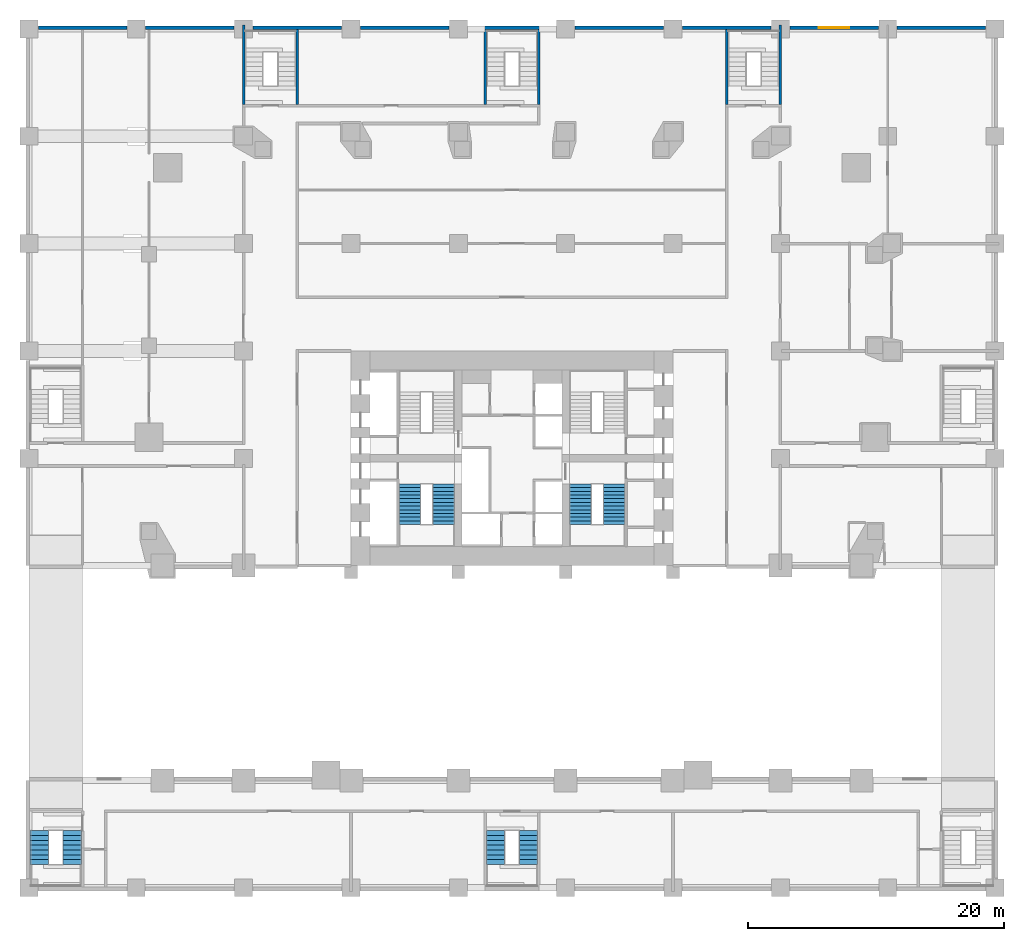
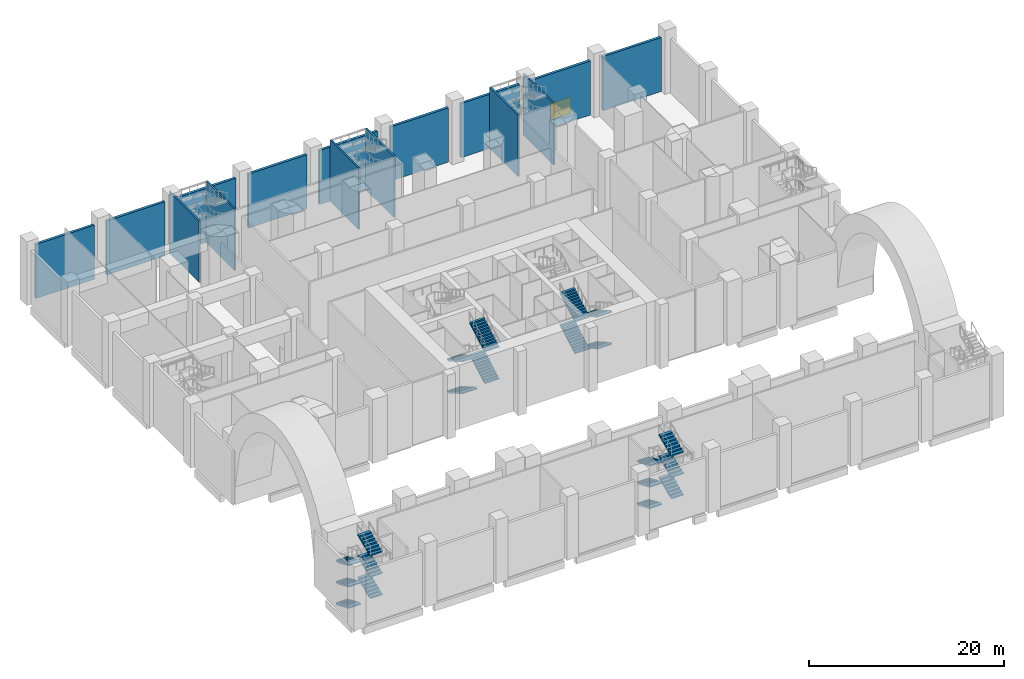
# One storey, part 10 of 19: 20 stair flights, 15 walls, 1 window, 1 opening, 4 elements without a shape of their own.
"""IFC4 building model written with IfcOpenShell, lengths in metres."""

from ifc_helpers import new_model, si_unit, direction, frame, frame_2d, origin, place, context, subcontext, project, spatial, polyline, rectangle, outline, extrude, material, layer, layer_set, type_object, element, fill, aggregate, save


model = new_model("IFC4")

# Units and contexts
model_context = context("Model", 3, precision=1e-05, world=origin(), true_north=direction((0.0, 1.0)))
body_context = subcontext(model_context, "Body", "Model", "MODEL_VIEW")
ifc_project = project(units=[si_unit("LENGTHUNIT", "METRE"), si_unit("AREAUNIT", "SQUARE_METRE"), si_unit("VOLUMEUNIT", "CUBIC_METRE"), si_unit("PLANEANGLEUNIT", "RADIAN"), si_unit("MASSUNIT", "GRAM", prefix="KILO")], contexts=[model_context])

# Site, building, storey
site_placement = place(None, origin())
site = spatial("IfcSite", under=ifc_project, at=site_placement, CompositionType="ELEMENT")
building_placement = place(site_placement, origin())
building = spatial("IfcBuilding", under=site, at=building_placement, Name="Marenta Gate Hotel Tower", CompositionType="ELEMENT")
storey_placement = place(building_placement, frame((0.0, 0.0, 13.0)))
storey = spatial("IfcBuildingStorey", under=building, at=storey_placement, Name="L02", CompositionType="ELEMENT", Elevation=13.0)

# Wall
ifc_material_1 = material(Name="Concrete C40 board-marked", Category="concrete")
ifc_layer_1 = layer(ifc_material_1, 0.300048828125)
ifc_layer_set_1 = layer_set([ifc_layer_1], Name="Concrete C40 board-marked")
wall_type_1 = type_object("IfcWallType", Name="Board-marked concrete wall 300 mm", PredefinedType="NOTDEFINED", material=ifc_layer_set_1)
wall_1_placement = place(storey_placement, frame((37.06005859375, 42.090087890625, 0.0), z_axis=(0.0, 0.0, 1.0), x_axis=(-1.0, 0.0, 0.0)))
element("IfcWall", 1, at=wall_1_placement, inside=storey, type_object=wall_type_1, Name="L02-CLD-NB-N000", PredefinedType="NOTDEFINED", context=body_context, shape_type="SweptSolid", body=[
    extrude(rectangle(XDim=6.920166015625, YDim=0.300048828125, at=frame_2d((3.4599609375, 0.0))), origin(), (0.0, 0.0, 1.0), 6.780029296875),
])

# Wall, opening, window
wall_2_placement = place(storey_placement, frame((28.659912109375, 42.090087890625, 0.0), z_axis=(0.0, 0.0, 1.0), x_axis=(-1.0, 0.0, 0.0)))
wall_2 = element("IfcWall", 2, at=wall_2_placement, inside=storey, type_object=wall_type_1, Name="L02-CLD-NB-N001", PredefinedType="NOTDEFINED", context=body_context, shape_type="SweptSolid", body=[
    extrude(rectangle(XDim=6.919921875, YDim=0.300048828125, at=frame_2d((3.4599609375, 0.0))), origin(), (0.0, 0.0, 1.0), 6.780029296875),
])
opening_placement = place(wall_2_placement, frame((2.260009765625, 0.0, 0.89990234375)))
opening = element("IfcOpeningElement", 3, at=opening_placement, cuts=wall_2, Name="Opening W1", PredefinedType="OPENING", context=body_context, shape_type="SweptSolid", body=[
    extrude(rectangle(XDim=2.39990234375, YDim=2.10009765625, at=frame_2d((1.199951171875, 1.050048828125))), frame((0.0, 0.14990234375, 0.0), z_axis=(0.0, -1.0, 0.0), x_axis=(1.0, 0.0, 0.0)), (0.0, 0.0, 1.0), 0.300048828125),
])
ifc_material_2 = material(Name="Tinted insulated glass in bronze anodised frame", Category="glass")
window_type = type_object("IfcWindowType", Name="Window W1 2400x2100 bronze frame", PartitioningType="SINGLE_PANEL", PredefinedType="WINDOW", material=ifc_material_2)
window_placement = place(opening_placement, origin())
window = element("IfcWindow", 4, at=window_placement, inside=storey, type_object=window_type, Name="Window W1", OverallHeight=2.10009765625, OverallWidth=2.39990234375, PartitioningType="SINGLE_PANEL", PredefinedType="WINDOW", context=body_context, shape_type="SweptSolid", body=[
    extrude(rectangle(XDim=2.39990234375, YDim=2.10009765625, at=frame_2d((1.199951171875, 1.050048828125))), frame((0.0, 0.030029296875, 0.0), z_axis=(0.0, -1.0, 0.0), x_axis=(1.0, 0.0, 0.0)), (0.0, 0.0, 1.0), 0.06005859375),
])
fill(opening, window)

# Walls
wall_3_placement = place(storey_placement, frame((20.260009765625, 42.090087890625, 0.0), z_axis=(0.0, 0.0, 1.0), x_axis=(-1.0, 0.0, 0.0)))
element("IfcWall", 5, at=wall_3_placement, inside=storey, type_object=wall_type_1, Name="L02-CLD-NB-N002", PredefinedType="NOTDEFINED", context=body_context, shape_type="SweptSolid", body=[
    extrude(rectangle(XDim=6.919921875, YDim=0.300048828125, at=frame_2d((3.4599609375, 0.0))), origin(), (0.0, 0.0, 1.0), 6.780029296875),
])
wall_4_placement = place(storey_placement, frame((11.860107421875, 42.090087890625, 0.0), z_axis=(0.0, 0.0, 1.0), x_axis=(-1.0, 0.0, 0.0)))
element("IfcWall", 6, at=wall_4_placement, inside=storey, type_object=wall_type_1, Name="L02-CLD-NB-N003", PredefinedType="NOTDEFINED", context=body_context, shape_type="SweptSolid", body=[
    extrude(rectangle(XDim=6.920166015625, YDim=0.300048828125, at=frame_2d((3.4599609375, 0.0))), origin(), (0.0, 0.0, 1.0), 6.780029296875),
])
wall_5_placement = place(storey_placement, frame((3.4599609375, 42.090087890625, 0.0), z_axis=(0.0, 0.0, 1.0), x_axis=(-1.0, 0.0, 0.0)))
element("IfcWall", 7, at=wall_5_placement, inside=storey, type_object=wall_type_1, Name="L02-CLD-NB-N004", PredefinedType="NOTDEFINED", context=body_context, shape_type="SweptSolid", body=[
    extrude(rectangle(XDim=6.919921875, YDim=0.300048828125, at=frame_2d((3.4599609375, 0.0))), origin(), (0.0, 0.0, 1.0), 6.780029296875),
])
wall_6_placement = place(storey_placement, frame((-4.93994140625, 42.090087890625, 0.0), z_axis=(0.0, 0.0, 1.0), x_axis=(-1.0, 0.0, 0.0)))
element("IfcWall", 8, at=wall_6_placement, inside=storey, type_object=wall_type_1, Name="L02-CLD-NB-N005", PredefinedType="NOTDEFINED", context=body_context, shape_type="SweptSolid", body=[
    extrude(rectangle(XDim=6.920166015625, YDim=0.300048828125, at=frame_2d((3.4599609375, 0.0))), origin(), (0.0, 0.0, 1.0), 6.780029296875),
])
for number, where, z_axis, x_axis, name in (
    (9, (-13.340087890625, 42.090087890625, 0.0), (0.0, 0.0, 1.0), (-1.0, 0.0, 0.0), "L02-CLD-NB-N006"),
    (10, (-21.739990234375, 42.090087890625, 0.0), (0.0, 0.0, 1.0), (-1.0, 0.0, 0.0), "L02-CLD-NB-N007"),
):
    element("IfcWall", number, at=place(storey_placement, frame(where, z_axis=z_axis, x_axis=x_axis)), inside=storey, type_object=wall_type_1, Name=name, PredefinedType="NOTDEFINED", context=body_context, shape_type="SweptSolid", body=[
        extrude(rectangle(XDim=6.919921875, YDim=0.300048828125, at=frame_2d((3.4599609375, 0.0))), origin(), (0.0, 0.0, 1.0), 6.780029296875),
    ])
wall_7_placement = place(storey_placement, frame((-30.139892578125, 42.090087890625, 0.0), z_axis=(0.0, 0.0, 1.0), x_axis=(-1.0, 0.0, 0.0)))
element("IfcWall", 11, at=wall_7_placement, inside=storey, type_object=wall_type_1, Name="L02-CLD-NB-N008", PredefinedType="NOTDEFINED", context=body_context, shape_type="SweptSolid", body=[
    extrude(rectangle(XDim=6.920166015625, YDim=0.300048828125, at=frame_2d((3.4599609375, 0.0))), origin(), (0.0, 0.0, 1.0), 6.780029296875),
])
ifc_material_3 = material(Name="Concrete blockwork", Category="masonry")
ifc_layer_2 = layer(ifc_material_3, 0.199951171875)
ifc_layer_set_2 = layer_set([ifc_layer_2], Name="Concrete blockwork")
wall_type_2 = type_object("IfcWallType", Name="Room party wall 200 REI 180", PredefinedType="PARTITIONING", material=ifc_layer_set_2)
wall_8_placement = place(storey_placement, frame((21.0, 36.10009765625, 0.0), z_axis=(0.0, 0.0, 1.0), x_axis=(0.0, 1.0, 0.0)))
element("IfcWall", 12, at=wall_8_placement, inside=storey, type_object=wall_type_2, Name="L02-PTN-W020", PredefinedType="PARTITIONING", context=body_context, shape_type="SweptSolid", body=[
    extrude(rectangle(XDim=6.199951171875, YDim=0.199951171875, at=frame_2d((3.10009765625, 0.0))), origin(), (0.0, 0.0, 1.0), 7.679931640625),
])
for number, where, z_axis, x_axis, name in (
    (13, (16.800048828125, 36.10009765625, 0.0), (0.0, 0.0, 1.0), (0.0, 1.0, 0.0), "L02-PTN-W025"),
    (14, (2.10009765625, 36.10009765625, 0.0), (0.0, 0.0, 1.0), (0.0, 1.0, 0.0), "L02-PTN-W028"),
    (15, (-2.10009765625, 36.10009765625, 0.0), (0.0, 0.0, 1.0), (0.0, 1.0, 0.0), "L02-PTN-W031"),
    (16, (-16.800048828125, 36.10009765625, 0.0), (0.0, 0.0, 1.0), (0.0, 1.0, 0.0), "L02-PTN-W044"),
):
    element("IfcWall", number, at=place(storey_placement, frame(where, z_axis=z_axis, x_axis=x_axis)), inside=storey, type_object=wall_type_2, Name=name, PredefinedType="PARTITIONING", context=body_context, shape_type="SweptSolid", body=[
        extrude(rectangle(XDim=5.83984375, YDim=0.199951171875, at=frame_2d((2.919921875, 0.0))), origin(), (0.0, 0.0, 1.0), 7.679931640625),
    ])
wall_9_placement = place(storey_placement, frame((-21.0, 36.10009765625, 0.0), z_axis=(0.0, 0.0, 1.0), x_axis=(0.0, 1.0, 0.0)))
element("IfcWall", 17, at=wall_9_placement, inside=storey, type_object=wall_type_2, Name="L02-PTN-W050", PredefinedType="PARTITIONING", context=body_context, shape_type="SweptSolid", body=[
    extrude(rectangle(XDim=6.199951171875, YDim=0.199951171875, at=frame_2d((3.10009765625, 0.0))), origin(), (0.0, 0.0, 1.0), 7.679931640625),
])

# Stair, stair flights
ifc_material_4 = material(Name="Concrete C40", Category="concrete")
stair_type_1 = type_object("IfcStairType", Name="Core exit stair 1700 wide", PredefinedType="HALF_TURN_STAIR", material=ifc_material_4)
stair_1_placement = place(storey_placement, origin())
stair_1 = element("IfcStair", 18, at=stair_1_placement, inside=storey, type_object=stair_type_1, Name="Exit stair 1", PredefinedType="HALF_TURN_STAIR")
ifc_material_5 = material(Name="Concrete C40", Category="concrete")
stair_flight_type_1 = type_object("IfcStairFlightType", Name="Core stair flight 1700 riser 166.7 going 290", PredefinedType="STRAIGHT", material=ifc_material_5)
stair_flight_1_placement = place(storey_placement, frame((-8.0, 6.39990234375, 0.0), z_axis=(0.0, 0.0, 1.0), x_axis=(0.0, -1.0, 0.0)))
stair_flight_1 = element("IfcStairFlight", 19, at=stair_flight_1_placement, type_object=stair_flight_type_1, Name="ST1 flight 1", NumberOfRisers=12, NumberOfTreads=11, PredefinedType="STRAIGHT", RiserHeight=0.166667, TreadLength=0.29, context=body_context, shape_type="SweptSolid", body=[
    extrude(outline(polyline([(0.0, 0.0), (0.0, 0.166748046875), (0.2900390625, 0.166748046875), (0.2900390625, 0.333251953125), (0.580078125, 0.333251953125), (0.580078125, 0.5), (0.8701171875, 0.5), (0.8701171875, 0.666748046875), (1.159912109375, 0.666748046875), (1.159912109375, 0.833251953125), (1.449951171875, 0.833251953125), (1.449951171875, 1.0), (1.739990234375, 1.0), (1.739990234375, 1.166748046875), (2.030029296875, 1.166748046875), (2.030029296875, 1.333251953125), (2.320068359375, 1.333251953125), (2.320068359375, 1.5), (2.610107421875, 1.5), (2.610107421875, 1.666748046875), (2.89990234375, 1.666748046875), (2.89990234375, 1.833251953125), (3.18994140625, 1.833251953125), (3.18994140625, 2.0), (3.18994140625, 1.660400390625), (0.30078125, 0.0), (0.0, 0.0)])), frame((0.0, 0.85009765625, 0.0), z_axis=(0.0, -1.0, 0.0), x_axis=(1.0, 0.0, 0.0)), (0.0, 0.0, 1.0), 1.699951171875),
])
stair_flight_2_placement = place(storey_placement, frame((-5.35009765625, 3.2099609375, 2.0), z_axis=(0.0, 0.0, 1.0), x_axis=(0.0, 1.0, 0.0)))
stair_flight_2 = element("IfcStairFlight", 20, at=stair_flight_2_placement, type_object=stair_flight_type_1, Name="ST1 flight 2", NumberOfRisers=12, NumberOfTreads=11, PredefinedType="STRAIGHT", RiserHeight=0.166667, TreadLength=0.29, context=body_context, shape_type="SweptSolid", body=[
    extrude(outline(polyline([(0.0, 0.0), (0.0, 0.166748046875), (0.2900390625, 0.166748046875), (0.2900390625, 0.333251953125), (0.580078125, 0.333251953125), (0.580078125, 0.5), (0.8701171875, 0.5), (0.8701171875, 0.666748046875), (1.159912109375, 0.666748046875), (1.159912109375, 0.833251953125), (1.449951171875, 0.833251953125), (1.449951171875, 1.0), (1.739990234375, 1.0), (1.739990234375, 1.166748046875), (2.030029296875, 1.166748046875), (2.030029296875, 1.333251953125), (2.320068359375, 1.333251953125), (2.320068359375, 1.5), (2.610107421875, 1.5), (2.610107421875, 1.666748046875), (2.89990234375, 1.666748046875), (2.89990234375, 1.833251953125), (3.18994140625, 1.833251953125), (3.18994140625, 2.0), (3.18994140625, 1.660400390625), (0.30078125, 0.0), (0.0, 0.0)])), frame((0.0, 0.85009765625, 0.0), z_axis=(0.0, -1.0, 0.0), x_axis=(1.0, 0.0, 0.0)), (0.0, 0.0, 1.0), 1.699951171875),
])
stair_flight_3_placement = place(storey_placement, frame((-8.0, 6.39990234375, 4.0), z_axis=(0.0, 0.0, 1.0), x_axis=(0.0, -1.0, 0.0)))
stair_flight_3 = element("IfcStairFlight", 21, at=stair_flight_3_placement, type_object=stair_flight_type_1, Name="ST1 flight 3", NumberOfRisers=12, NumberOfTreads=11, PredefinedType="STRAIGHT", RiserHeight=0.166667, TreadLength=0.29, context=body_context, shape_type="SweptSolid", body=[
    extrude(outline(polyline([(0.0, 0.0), (0.0, 0.166748046875), (0.2900390625, 0.166748046875), (0.2900390625, 0.333251953125), (0.580078125, 0.333251953125), (0.580078125, 0.5), (0.8701171875, 0.5), (0.8701171875, 0.666748046875), (1.159912109375, 0.666748046875), (1.159912109375, 0.833251953125), (1.449951171875, 0.833251953125), (1.449951171875, 1.0), (1.739990234375, 1.0), (1.739990234375, 1.166748046875), (2.030029296875, 1.166748046875), (2.030029296875, 1.333251953125), (2.320068359375, 1.333251953125), (2.320068359375, 1.5), (2.610107421875, 1.5), (2.610107421875, 1.666748046875), (2.89990234375, 1.666748046875), (2.89990234375, 1.833251953125), (3.18994140625, 1.833251953125), (3.18994140625, 2.0), (3.18994140625, 1.660400390625), (0.30078125, 0.0), (0.0, 0.0)])), frame((0.0, 0.85009765625, 0.0), z_axis=(0.0, -1.0, 0.0), x_axis=(1.0, 0.0, 0.0)), (0.0, 0.0, 1.0), 1.699951171875),
])
stair_flight_4_placement = place(storey_placement, frame((-5.35009765625, 3.2099609375, 6.0), z_axis=(0.0, 0.0, 1.0), x_axis=(0.0, 1.0, 0.0)))
stair_flight_4 = element("IfcStairFlight", 22, at=stair_flight_4_placement, type_object=stair_flight_type_1, Name="ST1 flight 4", NumberOfRisers=12, NumberOfTreads=11, PredefinedType="STRAIGHT", RiserHeight=0.166667, TreadLength=0.29, context=body_context, shape_type="SweptSolid", body=[
    extrude(outline(polyline([(0.0, 0.0), (0.0, 0.166748046875), (0.2900390625, 0.166748046875), (0.2900390625, 0.333251953125), (0.580078125, 0.333251953125), (0.580078125, 0.5), (0.8701171875, 0.5), (0.8701171875, 0.666748046875), (1.159912109375, 0.666748046875), (1.159912109375, 0.833251953125), (1.449951171875, 0.833251953125), (1.449951171875, 1.0), (1.739990234375, 1.0), (1.739990234375, 1.166748046875), (2.030029296875, 1.166748046875), (2.030029296875, 1.333251953125), (2.320068359375, 1.333251953125), (2.320068359375, 1.5), (2.610107421875, 1.5), (2.610107421875, 1.666748046875), (2.89990234375, 1.666748046875), (2.89990234375, 1.833251953125), (3.18994140625, 1.833251953125), (3.18994140625, 2.0), (3.18994140625, 1.660400390625), (0.30078125, 0.0), (0.0, 0.0)])), frame((0.0, 0.85009765625, 0.0), z_axis=(0.0, -1.0, 0.0), x_axis=(1.0, 0.0, 0.0)), (0.0, 0.0, 1.0), 1.699951171875),
])
aggregate(stair_1, [stair_flight_1, stair_flight_2, stair_flight_3, stair_flight_4])

stair_2_placement = place(storey_placement, origin())
stair_2 = element("IfcStair", 23, at=stair_2_placement, inside=storey, type_object=stair_type_1, Name="Exit stair 3", PredefinedType="HALF_TURN_STAIR")
stair_flight_5_placement = place(storey_placement, frame((8.0, 6.39990234375, 0.0), z_axis=(0.0, 0.0, 1.0), x_axis=(0.0, -1.0, 0.0)))
stair_flight_5 = element("IfcStairFlight", 24, at=stair_flight_5_placement, type_object=stair_flight_type_1, Name="ST3 flight 1", NumberOfRisers=12, NumberOfTreads=11, PredefinedType="STRAIGHT", RiserHeight=0.166667, TreadLength=0.29, context=body_context, shape_type="SweptSolid", body=[
    extrude(outline(polyline([(0.0, 0.0), (0.0, 0.166748046875), (0.2900390625, 0.166748046875), (0.2900390625, 0.333251953125), (0.580078125, 0.333251953125), (0.580078125, 0.5), (0.8701171875, 0.5), (0.8701171875, 0.666748046875), (1.159912109375, 0.666748046875), (1.159912109375, 0.833251953125), (1.449951171875, 0.833251953125), (1.449951171875, 1.0), (1.739990234375, 1.0), (1.739990234375, 1.166748046875), (2.030029296875, 1.166748046875), (2.030029296875, 1.333251953125), (2.320068359375, 1.333251953125), (2.320068359375, 1.5), (2.610107421875, 1.5), (2.610107421875, 1.666748046875), (2.89990234375, 1.666748046875), (2.89990234375, 1.833251953125), (3.18994140625, 1.833251953125), (3.18994140625, 2.0), (3.18994140625, 1.660400390625), (0.30078125, 0.0), (0.0, 0.0)])), frame((0.0, 0.85009765625, 0.0), z_axis=(0.0, -1.0, 0.0), x_axis=(1.0, 0.0, 0.0)), (0.0, 0.0, 1.0), 1.699951171875),
])
stair_flight_6_placement = place(storey_placement, frame((5.35009765625, 3.2099609375, 2.0), z_axis=(0.0, 0.0, 1.0), x_axis=(0.0, 1.0, 0.0)))
stair_flight_6 = element("IfcStairFlight", 25, at=stair_flight_6_placement, type_object=stair_flight_type_1, Name="ST3 flight 2", NumberOfRisers=12, NumberOfTreads=11, PredefinedType="STRAIGHT", RiserHeight=0.166667, TreadLength=0.29, context=body_context, shape_type="SweptSolid", body=[
    extrude(outline(polyline([(0.0, 0.0), (0.0, 0.166748046875), (0.2900390625, 0.166748046875), (0.2900390625, 0.333251953125), (0.580078125, 0.333251953125), (0.580078125, 0.5), (0.8701171875, 0.5), (0.8701171875, 0.666748046875), (1.159912109375, 0.666748046875), (1.159912109375, 0.833251953125), (1.449951171875, 0.833251953125), (1.449951171875, 1.0), (1.739990234375, 1.0), (1.739990234375, 1.166748046875), (2.030029296875, 1.166748046875), (2.030029296875, 1.333251953125), (2.320068359375, 1.333251953125), (2.320068359375, 1.5), (2.610107421875, 1.5), (2.610107421875, 1.666748046875), (2.89990234375, 1.666748046875), (2.89990234375, 1.833251953125), (3.18994140625, 1.833251953125), (3.18994140625, 2.0), (3.18994140625, 1.660400390625), (0.30078125, 0.0), (0.0, 0.0)])), frame((0.0, 0.85009765625, 0.0), z_axis=(0.0, -1.0, 0.0), x_axis=(1.0, 0.0, 0.0)), (0.0, 0.0, 1.0), 1.699951171875),
])
stair_flight_7_placement = place(storey_placement, frame((8.0, 6.39990234375, 4.0), z_axis=(0.0, 0.0, 1.0), x_axis=(0.0, -1.0, 0.0)))
stair_flight_7 = element("IfcStairFlight", 26, at=stair_flight_7_placement, type_object=stair_flight_type_1, Name="ST3 flight 3", NumberOfRisers=12, NumberOfTreads=11, PredefinedType="STRAIGHT", RiserHeight=0.166667, TreadLength=0.29, context=body_context, shape_type="SweptSolid", body=[
    extrude(outline(polyline([(0.0, 0.0), (0.0, 0.166748046875), (0.2900390625, 0.166748046875), (0.2900390625, 0.333251953125), (0.580078125, 0.333251953125), (0.580078125, 0.5), (0.8701171875, 0.5), (0.8701171875, 0.666748046875), (1.159912109375, 0.666748046875), (1.159912109375, 0.833251953125), (1.449951171875, 0.833251953125), (1.449951171875, 1.0), (1.739990234375, 1.0), (1.739990234375, 1.166748046875), (2.030029296875, 1.166748046875), (2.030029296875, 1.333251953125), (2.320068359375, 1.333251953125), (2.320068359375, 1.5), (2.610107421875, 1.5), (2.610107421875, 1.666748046875), (2.89990234375, 1.666748046875), (2.89990234375, 1.833251953125), (3.18994140625, 1.833251953125), (3.18994140625, 2.0), (3.18994140625, 1.660400390625), (0.30078125, 0.0), (0.0, 0.0)])), frame((0.0, 0.85009765625, 0.0), z_axis=(0.0, -1.0, 0.0), x_axis=(1.0, 0.0, 0.0)), (0.0, 0.0, 1.0), 1.699951171875),
])
stair_flight_8_placement = place(storey_placement, frame((5.35009765625, 3.2099609375, 6.0), z_axis=(0.0, 0.0, 1.0), x_axis=(0.0, 1.0, 0.0)))
stair_flight_8 = element("IfcStairFlight", 27, at=stair_flight_8_placement, type_object=stair_flight_type_1, Name="ST3 flight 4", NumberOfRisers=12, NumberOfTreads=11, PredefinedType="STRAIGHT", RiserHeight=0.166667, TreadLength=0.29, context=body_context, shape_type="SweptSolid", body=[
    extrude(outline(polyline([(0.0, 0.0), (0.0, 0.166748046875), (0.2900390625, 0.166748046875), (0.2900390625, 0.333251953125), (0.580078125, 0.333251953125), (0.580078125, 0.5), (0.8701171875, 0.5), (0.8701171875, 0.666748046875), (1.159912109375, 0.666748046875), (1.159912109375, 0.833251953125), (1.449951171875, 0.833251953125), (1.449951171875, 1.0), (1.739990234375, 1.0), (1.739990234375, 1.166748046875), (2.030029296875, 1.166748046875), (2.030029296875, 1.333251953125), (2.320068359375, 1.333251953125), (2.320068359375, 1.5), (2.610107421875, 1.5), (2.610107421875, 1.666748046875), (2.89990234375, 1.666748046875), (2.89990234375, 1.833251953125), (3.18994140625, 1.833251953125), (3.18994140625, 2.0), (3.18994140625, 1.660400390625), (0.30078125, 0.0), (0.0, 0.0)])), frame((0.0, 0.85009765625, 0.0), z_axis=(0.0, -1.0, 0.0), x_axis=(1.0, 0.0, 0.0)), (0.0, 0.0, 1.0), 1.699951171875),
])
aggregate(stair_2, [stair_flight_5, stair_flight_6, stair_flight_7, stair_flight_8])

ifc_material_6 = material(Name="Concrete C40", Category="concrete")
stair_type_2 = type_object("IfcStairType", Name="Podium exit stair 1430 wide", PredefinedType="HALF_TURN_STAIR", material=ifc_material_6)
stair_3_placement = place(storey_placement, origin())
stair_3 = element("IfcStair", 28, at=stair_3_placement, inside=storey, type_object=stair_type_2, Name="Podium exit stair 1", PredefinedType="HALF_TURN_STAIR")
ifc_material_7 = material(Name="Concrete C40", Category="concrete")
stair_flight_type_2 = type_object("IfcStairFlightType", Name="Podium stair flight 1430 riser 166.7 going 380", PredefinedType="STRAIGHT", material=ifc_material_7)
stair_flight_9_placement = place(storey_placement, frame((-36.985107421875, -20.72998046875, 0.0), z_axis=(0.0, 0.0, 1.0), x_axis=(0.0, -1.0, 0.0)))
stair_flight_9 = element("IfcStairFlight", 29, at=stair_flight_9_placement, type_object=stair_flight_type_2, Name="PX1 flight 1", NumberOfRisers=8, NumberOfTreads=7, PredefinedType="STRAIGHT", RiserHeight=0.166667, TreadLength=0.38, context=body_context, shape_type="SweptSolid", body=[
    extrude(outline(polyline([(0.0, 0.0), (0.0, 0.166748046875), (0.3798828125, 0.166748046875), (0.3798828125, 0.333251953125), (0.760009765625, 0.333251953125), (0.760009765625, 0.5), (1.139892578125, 0.5), (1.139892578125, 0.666748046875), (1.52001953125, 0.666748046875), (1.52001953125, 0.833251953125), (1.89990234375, 0.833251953125), (1.89990234375, 1.0), (2.280029296875, 1.0), (2.280029296875, 1.166748046875), (2.659912109375, 1.166748046875), (2.659912109375, 1.333251953125), (2.659912109375, 1.0029296875), (0.373291015625, 0.0), (0.0, 0.0)])), frame((0.0, 0.71484375, 0.0), z_axis=(0.0, -1.0, 0.0), x_axis=(1.0, 0.0, 0.0)), (0.0, 0.0, 1.0), 1.429931640625),
])
stair_flight_10_placement = place(storey_placement, frame((-34.4150390625, -23.389892578125, 1.333251953125), z_axis=(0.0, 0.0, 1.0), x_axis=(0.0, 1.0, 0.0)))
stair_flight_10 = element("IfcStairFlight", 30, at=stair_flight_10_placement, type_object=stair_flight_type_2, Name="PX1 flight 2", NumberOfRisers=8, NumberOfTreads=7, PredefinedType="STRAIGHT", RiserHeight=0.166667, TreadLength=0.38, context=body_context, shape_type="SweptSolid", body=[
    extrude(outline(polyline([(0.0, 0.0), (0.0, 0.166748046875), (0.3798828125, 0.166748046875), (0.3798828125, 0.333251953125), (0.760009765625, 0.333251953125), (0.760009765625, 0.5), (1.139892578125, 0.5), (1.139892578125, 0.666748046875), (1.52001953125, 0.666748046875), (1.52001953125, 0.833251953125), (1.89990234375, 0.833251953125), (1.89990234375, 1.0), (2.280029296875, 1.0), (2.280029296875, 1.166748046875), (2.659912109375, 1.166748046875), (2.659912109375, 1.333251953125), (2.659912109375, 1.0029296875), (0.373291015625, 0.0), (0.0, 0.0)])), frame((0.0, 0.71484375, 0.0), z_axis=(0.0, -1.0, 0.0), x_axis=(1.0, 0.0, 0.0)), (0.0, 0.0, 1.0), 1.429931640625),
])
stair_flight_11_placement = place(storey_placement, frame((-36.985107421875, -20.72998046875, 2.666748046875), z_axis=(0.0, 0.0, 1.0), x_axis=(0.0, -1.0, 0.0)))
stair_flight_11 = element("IfcStairFlight", 31, at=stair_flight_11_placement, type_object=stair_flight_type_2, Name="PX1 flight 3", NumberOfRisers=8, NumberOfTreads=7, PredefinedType="STRAIGHT", RiserHeight=0.166667, TreadLength=0.38, context=body_context, shape_type="SweptSolid", body=[
    extrude(outline(polyline([(0.0, 0.0), (0.0, 0.166748046875), (0.3798828125, 0.166748046875), (0.3798828125, 0.333251953125), (0.760009765625, 0.333251953125), (0.760009765625, 0.5), (1.139892578125, 0.5), (1.139892578125, 0.666748046875), (1.52001953125, 0.666748046875), (1.52001953125, 0.833251953125), (1.89990234375, 0.833251953125), (1.89990234375, 1.0), (2.280029296875, 1.0), (2.280029296875, 1.166748046875), (2.659912109375, 1.166748046875), (2.659912109375, 1.333251953125), (2.659912109375, 1.0029296875), (0.373291015625, 0.0), (0.0, 0.0)])), frame((0.0, 0.71484375, 0.0), z_axis=(0.0, -1.0, 0.0), x_axis=(1.0, 0.0, 0.0)), (0.0, 0.0, 1.0), 1.429931640625),
])
stair_flight_12_placement = place(storey_placement, frame((-34.4150390625, -23.389892578125, 4.0), z_axis=(0.0, 0.0, 1.0), x_axis=(0.0, 1.0, 0.0)))
stair_flight_12 = element("IfcStairFlight", 32, at=stair_flight_12_placement, type_object=stair_flight_type_2, Name="PX1 flight 4", NumberOfRisers=8, NumberOfTreads=7, PredefinedType="STRAIGHT", RiserHeight=0.166667, TreadLength=0.38, context=body_context, shape_type="SweptSolid", body=[
    extrude(outline(polyline([(0.0, 0.0), (0.0, 0.166748046875), (0.3798828125, 0.166748046875), (0.3798828125, 0.333251953125), (0.760009765625, 0.333251953125), (0.760009765625, 0.5), (1.139892578125, 0.5), (1.139892578125, 0.666748046875), (1.52001953125, 0.666748046875), (1.52001953125, 0.833251953125), (1.89990234375, 0.833251953125), (1.89990234375, 1.0), (2.280029296875, 1.0), (2.280029296875, 1.166748046875), (2.659912109375, 1.166748046875), (2.659912109375, 1.333251953125), (2.659912109375, 1.0029296875), (0.373291015625, 0.0), (0.0, 0.0)])), frame((0.0, 0.71484375, 0.0), z_axis=(0.0, -1.0, 0.0), x_axis=(1.0, 0.0, 0.0)), (0.0, 0.0, 1.0), 1.429931640625),
])
stair_flight_13_placement = place(storey_placement, frame((-36.985107421875, -20.72998046875, 5.333251953125), z_axis=(0.0, 0.0, 1.0), x_axis=(0.0, -1.0, 0.0)))
stair_flight_13 = element("IfcStairFlight", 33, at=stair_flight_13_placement, type_object=stair_flight_type_2, Name="PX1 flight 5", NumberOfRisers=8, NumberOfTreads=7, PredefinedType="STRAIGHT", RiserHeight=0.166667, TreadLength=0.38, context=body_context, shape_type="SweptSolid", body=[
    extrude(outline(polyline([(0.0, 0.0), (0.0, 0.166748046875), (0.3798828125, 0.166748046875), (0.3798828125, 0.333251953125), (0.760009765625, 0.333251953125), (0.760009765625, 0.5), (1.139892578125, 0.5), (1.139892578125, 0.666748046875), (1.52001953125, 0.666748046875), (1.52001953125, 0.833251953125), (1.89990234375, 0.833251953125), (1.89990234375, 1.0), (2.280029296875, 1.0), (2.280029296875, 1.166748046875), (2.659912109375, 1.166748046875), (2.659912109375, 1.333251953125), (2.659912109375, 1.0029296875), (0.373291015625, 0.0), (0.0, 0.0)])), frame((0.0, 0.71484375, 0.0), z_axis=(0.0, -1.0, 0.0), x_axis=(1.0, 0.0, 0.0)), (0.0, 0.0, 1.0), 1.429931640625),
])
stair_flight_14_placement = place(storey_placement, frame((-34.4150390625, -23.389892578125, 6.666748046875), z_axis=(0.0, 0.0, 1.0), x_axis=(0.0, 1.0, 0.0)))
stair_flight_14 = element("IfcStairFlight", 34, at=stair_flight_14_placement, type_object=stair_flight_type_2, Name="PX1 flight 6", NumberOfRisers=8, NumberOfTreads=7, PredefinedType="STRAIGHT", RiserHeight=0.166667, TreadLength=0.38, context=body_context, shape_type="SweptSolid", body=[
    extrude(outline(polyline([(0.0, 0.0), (0.0, 0.166748046875), (0.3798828125, 0.166748046875), (0.3798828125, 0.333251953125), (0.760009765625, 0.333251953125), (0.760009765625, 0.5), (1.139892578125, 0.5), (1.139892578125, 0.666748046875), (1.52001953125, 0.666748046875), (1.52001953125, 0.833251953125), (1.89990234375, 0.833251953125), (1.89990234375, 1.0), (2.280029296875, 1.0), (2.280029296875, 1.166748046875), (2.659912109375, 1.166748046875), (2.659912109375, 1.333251953125), (2.659912109375, 1.0029296875), (0.373291015625, 0.0), (0.0, 0.0)])), frame((0.0, 0.71484375, 0.0), z_axis=(0.0, -1.0, 0.0), x_axis=(1.0, 0.0, 0.0)), (0.0, 0.0, 1.0), 1.429931640625),
])
aggregate(stair_3, [stair_flight_9, stair_flight_10, stair_flight_11, stair_flight_12, stair_flight_13, stair_flight_14])

stair_4_placement = place(storey_placement, origin())
stair_4 = element("IfcStair", 35, at=stair_4_placement, inside=storey, type_object=stair_type_2, Name="Podium exit stair 5", PredefinedType="HALF_TURN_STAIR")
stair_flight_15_placement = place(storey_placement, frame((-1.284912109375, -20.72998046875, 0.0), z_axis=(0.0, 0.0, 1.0), x_axis=(0.0, -1.0, 0.0)))
stair_flight_15 = element("IfcStairFlight", 36, at=stair_flight_15_placement, type_object=stair_flight_type_2, Name="PX5 flight 1", NumberOfRisers=8, NumberOfTreads=7, PredefinedType="STRAIGHT", RiserHeight=0.166667, TreadLength=0.38, context=body_context, shape_type="SweptSolid", body=[
    extrude(outline(polyline([(0.0, 0.0), (0.0, 0.166748046875), (0.3798828125, 0.166748046875), (0.3798828125, 0.333251953125), (0.760009765625, 0.333251953125), (0.760009765625, 0.5), (1.139892578125, 0.5), (1.139892578125, 0.666748046875), (1.52001953125, 0.666748046875), (1.52001953125, 0.833251953125), (1.89990234375, 0.833251953125), (1.89990234375, 1.0), (2.280029296875, 1.0), (2.280029296875, 1.166748046875), (2.659912109375, 1.166748046875), (2.659912109375, 1.333251953125), (2.659912109375, 1.0029296875), (0.373291015625, 0.0), (0.0, 0.0)])), frame((0.0, 0.71484375, 0.0), z_axis=(0.0, -1.0, 0.0), x_axis=(1.0, 0.0, 0.0)), (0.0, 0.0, 1.0), 1.429931640625),
])
stair_flight_16_placement = place(storey_placement, frame((1.284912109375, -23.389892578125, 1.333251953125), z_axis=(0.0, 0.0, 1.0), x_axis=(0.0, 1.0, 0.0)))
stair_flight_16 = element("IfcStairFlight", 37, at=stair_flight_16_placement, type_object=stair_flight_type_2, Name="PX5 flight 2", NumberOfRisers=8, NumberOfTreads=7, PredefinedType="STRAIGHT", RiserHeight=0.166667, TreadLength=0.38, context=body_context, shape_type="SweptSolid", body=[
    extrude(outline(polyline([(0.0, 0.0), (0.0, 0.166748046875), (0.3798828125, 0.166748046875), (0.3798828125, 0.333251953125), (0.760009765625, 0.333251953125), (0.760009765625, 0.5), (1.139892578125, 0.5), (1.139892578125, 0.666748046875), (1.52001953125, 0.666748046875), (1.52001953125, 0.833251953125), (1.89990234375, 0.833251953125), (1.89990234375, 1.0), (2.280029296875, 1.0), (2.280029296875, 1.166748046875), (2.659912109375, 1.166748046875), (2.659912109375, 1.333251953125), (2.659912109375, 1.0029296875), (0.373291015625, 0.0), (0.0, 0.0)])), frame((0.0, 0.71484375, 0.0), z_axis=(0.0, -1.0, 0.0), x_axis=(1.0, 0.0, 0.0)), (0.0, 0.0, 1.0), 1.429931640625),
])
stair_flight_17_placement = place(storey_placement, frame((-1.284912109375, -20.72998046875, 2.666748046875), z_axis=(0.0, 0.0, 1.0), x_axis=(0.0, -1.0, 0.0)))
stair_flight_17 = element("IfcStairFlight", 38, at=stair_flight_17_placement, type_object=stair_flight_type_2, Name="PX5 flight 3", NumberOfRisers=8, NumberOfTreads=7, PredefinedType="STRAIGHT", RiserHeight=0.166667, TreadLength=0.38, context=body_context, shape_type="SweptSolid", body=[
    extrude(outline(polyline([(0.0, 0.0), (0.0, 0.166748046875), (0.3798828125, 0.166748046875), (0.3798828125, 0.333251953125), (0.760009765625, 0.333251953125), (0.760009765625, 0.5), (1.139892578125, 0.5), (1.139892578125, 0.666748046875), (1.52001953125, 0.666748046875), (1.52001953125, 0.833251953125), (1.89990234375, 0.833251953125), (1.89990234375, 1.0), (2.280029296875, 1.0), (2.280029296875, 1.166748046875), (2.659912109375, 1.166748046875), (2.659912109375, 1.333251953125), (2.659912109375, 1.0029296875), (0.373291015625, 0.0), (0.0, 0.0)])), frame((0.0, 0.71484375, 0.0), z_axis=(0.0, -1.0, 0.0), x_axis=(1.0, 0.0, 0.0)), (0.0, 0.0, 1.0), 1.429931640625),
])
stair_flight_18_placement = place(storey_placement, frame((1.284912109375, -23.389892578125, 4.0), z_axis=(0.0, 0.0, 1.0), x_axis=(0.0, 1.0, 0.0)))
stair_flight_18 = element("IfcStairFlight", 39, at=stair_flight_18_placement, type_object=stair_flight_type_2, Name="PX5 flight 4", NumberOfRisers=8, NumberOfTreads=7, PredefinedType="STRAIGHT", RiserHeight=0.166667, TreadLength=0.38, context=body_context, shape_type="SweptSolid", body=[
    extrude(outline(polyline([(0.0, 0.0), (0.0, 0.166748046875), (0.3798828125, 0.166748046875), (0.3798828125, 0.333251953125), (0.760009765625, 0.333251953125), (0.760009765625, 0.5), (1.139892578125, 0.5), (1.139892578125, 0.666748046875), (1.52001953125, 0.666748046875), (1.52001953125, 0.833251953125), (1.89990234375, 0.833251953125), (1.89990234375, 1.0), (2.280029296875, 1.0), (2.280029296875, 1.166748046875), (2.659912109375, 1.166748046875), (2.659912109375, 1.333251953125), (2.659912109375, 1.0029296875), (0.373291015625, 0.0), (0.0, 0.0)])), frame((0.0, 0.71484375, 0.0), z_axis=(0.0, -1.0, 0.0), x_axis=(1.0, 0.0, 0.0)), (0.0, 0.0, 1.0), 1.429931640625),
])
stair_flight_19_placement = place(storey_placement, frame((-1.284912109375, -20.72998046875, 5.333251953125), z_axis=(0.0, 0.0, 1.0), x_axis=(0.0, -1.0, 0.0)))
stair_flight_19 = element("IfcStairFlight", 40, at=stair_flight_19_placement, type_object=stair_flight_type_2, Name="PX5 flight 5", NumberOfRisers=8, NumberOfTreads=7, PredefinedType="STRAIGHT", RiserHeight=0.166667, TreadLength=0.38, context=body_context, shape_type="SweptSolid", body=[
    extrude(outline(polyline([(0.0, 0.0), (0.0, 0.166748046875), (0.3798828125, 0.166748046875), (0.3798828125, 0.333251953125), (0.760009765625, 0.333251953125), (0.760009765625, 0.5), (1.139892578125, 0.5), (1.139892578125, 0.666748046875), (1.52001953125, 0.666748046875), (1.52001953125, 0.833251953125), (1.89990234375, 0.833251953125), (1.89990234375, 1.0), (2.280029296875, 1.0), (2.280029296875, 1.166748046875), (2.659912109375, 1.166748046875), (2.659912109375, 1.333251953125), (2.659912109375, 1.0029296875), (0.373291015625, 0.0), (0.0, 0.0)])), frame((0.0, 0.71484375, 0.0), z_axis=(0.0, -1.0, 0.0), x_axis=(1.0, 0.0, 0.0)), (0.0, 0.0, 1.0), 1.429931640625),
])
stair_flight_20_placement = place(storey_placement, frame((1.284912109375, -23.389892578125, 6.666748046875), z_axis=(0.0, 0.0, 1.0), x_axis=(0.0, 1.0, 0.0)))
stair_flight_20 = element("IfcStairFlight", 41, at=stair_flight_20_placement, type_object=stair_flight_type_2, Name="PX5 flight 6", NumberOfRisers=8, NumberOfTreads=7, PredefinedType="STRAIGHT", RiserHeight=0.166667, TreadLength=0.38, context=body_context, shape_type="SweptSolid", body=[
    extrude(outline(polyline([(0.0, 0.0), (0.0, 0.166748046875), (0.3798828125, 0.166748046875), (0.3798828125, 0.333251953125), (0.760009765625, 0.333251953125), (0.760009765625, 0.5), (1.139892578125, 0.5), (1.139892578125, 0.666748046875), (1.52001953125, 0.666748046875), (1.52001953125, 0.833251953125), (1.89990234375, 0.833251953125), (1.89990234375, 1.0), (2.280029296875, 1.0), (2.280029296875, 1.166748046875), (2.659912109375, 1.166748046875), (2.659912109375, 1.333251953125), (2.659912109375, 1.0029296875), (0.373291015625, 0.0), (0.0, 0.0)])), frame((0.0, 0.71484375, 0.0), z_axis=(0.0, -1.0, 0.0), x_axis=(1.0, 0.0, 0.0)), (0.0, 0.0, 1.0), 1.429931640625),
])
aggregate(stair_4, [stair_flight_15, stair_flight_16, stair_flight_17, stair_flight_18, stair_flight_19, stair_flight_20])

save(model, "model.ifc")
